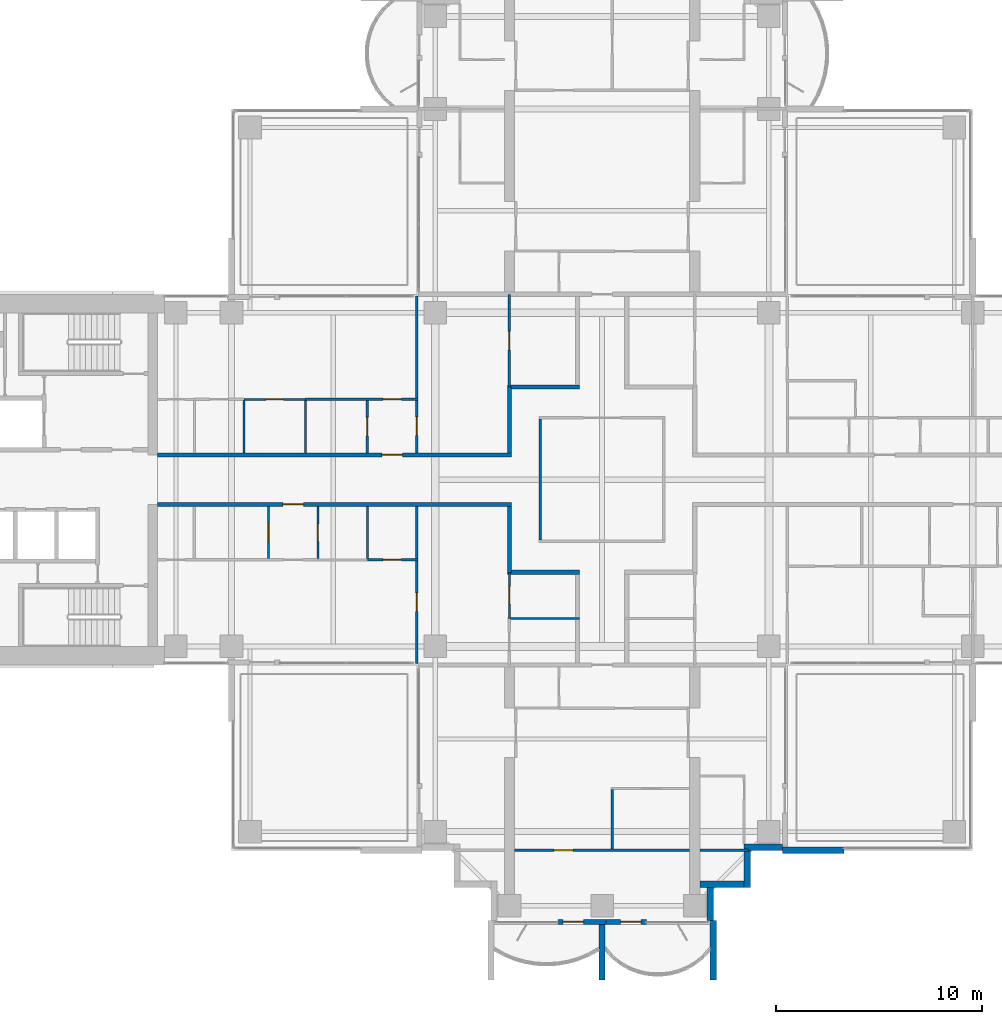
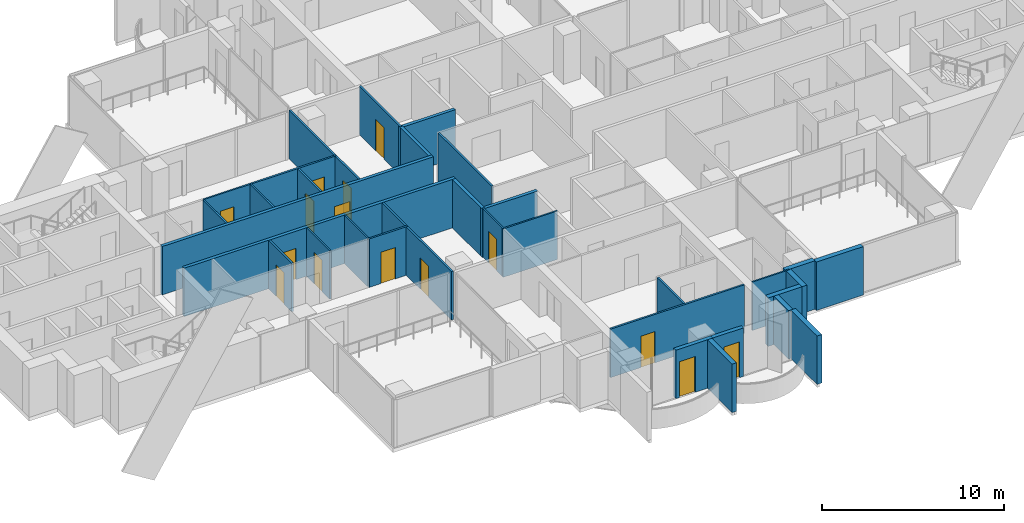
# One storey, part 10 of 19: 33 walls, 15 doors, 15 openings.
"""IFC4 building model written with IfcOpenShell, lengths in metres."""

from ifc_helpers import new_model, si_unit, direction, frame, frame_2d, origin, place, context, subcontext, project, spatial, rectangle, extrude, material, layer, layer_set, type_object, element, fill, save


model = new_model("IFC4")

# Units and contexts
model_context = context("Model", 3, precision=1e-05, world=origin(), true_north=direction((0.0, 1.0)))
body_context = subcontext(model_context, "Body", "Model", "MODEL_VIEW")
ifc_project = project(units=[si_unit("LENGTHUNIT", "METRE"), si_unit("AREAUNIT", "SQUARE_METRE"), si_unit("VOLUMEUNIT", "CUBIC_METRE"), si_unit("PLANEANGLEUNIT", "RADIAN"), si_unit("MASSUNIT", "GRAM", prefix="KILO")], contexts=[model_context])

# Site, building, storey
site_placement = place(None, origin())
site = spatial("IfcSite", under=ifc_project, at=site_placement, CompositionType="ELEMENT")
building_placement = place(site_placement, origin())
building = spatial("IfcBuilding", under=site, at=building_placement, Name="Perihelion Cross Residences", CompositionType="ELEMENT")
storey_placement = place(building_placement, frame((0.0, 0.0, 147.89990234375)))
storey = spatial("IfcBuildingStorey", under=building, at=storey_placement, Name="L36", CompositionType="ELEMENT", Elevation=147.89990234375)

# Wall, opening, door
ifc_material_1 = material(Name="Plasterboard partition")
ifc_layer_1 = layer(ifc_material_1, 0.199951171875)
ifc_layer_set_1 = layer_set([ifc_layer_1], Name="Apartment separation wall 200")
wall_type_1 = type_object("IfcWallType", Name="Apartment separation wall 200", PredefinedType="PARTITIONING", material=ifc_layer_set_1)
wall_1_placement = place(storey_placement, frame((-21.60009765625, 1.199951171875, 0.0), z_axis=(0.0, 0.0, 1.0), x_axis=(1.0, 0.0, 0.0)))
wall_1 = element("IfcWall", 1, at=wall_1_placement, inside=storey, type_object=wall_type_1, Name="Partition L36 W013", PredefinedType="PARTITIONING", context=body_context, shape_type="SweptSolid", body=[
    extrude(rectangle(XDim=17.2001953125, YDim=0.199951171875, at=frame_2d((8.60009765625, 0.0))), origin(), (0.0, 0.0, 1.0), 3.25),
])
opening_1_placement = place(wall_1_placement, frame((10.89990234375, 0.0, 0.0)))
opening_1 = element("IfcOpeningElement", 2, at=opening_1_placement, cuts=wall_1, Name="Opening L36.A52", PredefinedType="OPENING", context=body_context, shape_type="SweptSolid", body=[
    extrude(rectangle(XDim=1.0, YDim=2.10009765625, at=frame_2d((0.5, 1.050048828125))), frame((0.0, 0.10986328125, 0.0), z_axis=(0.0, -1.0, 0.0), x_axis=(1.0, 0.0, 0.0)), (0.0, 0.0, 1.0), 0.219970703125),
])
ifc_material_2 = material(Name="Timber door leaf", Category="wood")
door_type_1 = type_object("IfcDoorType", Name="Flat entrance door 1000 x 2100", OperationType="SINGLE_SWING_LEFT", PredefinedType="DOOR", material=ifc_material_2)
door_1_placement = place(opening_1_placement, origin())
door_1 = element("IfcDoor", 3, at=door_1_placement, inside=storey, type_object=door_type_1, Name="Door L36.A52", OperationType="SINGLE_SWING_RIGHT", OverallHeight=2.10009765625, OverallWidth=1.0, PredefinedType="DOOR", context=body_context, shape_type="SweptSolid", body=[
    extrude(rectangle(XDim=1.0, YDim=2.10009765625, at=frame_2d((0.5, 1.050048828125))), frame((0.0, 0.02490234375, 0.0), z_axis=(0.0, -1.0, 0.0), x_axis=(1.0, 0.0, 0.0)), (0.0, 0.0, 1.0), 0.050048828125),
])
fill(opening_1, door_1)

# Walls
wall_2_placement = place(storey_placement, frame((-4.5, 1.300048828125, 0.0), z_axis=(0.0, 0.0, 1.0), x_axis=(0.0, 1.0, 0.0)))
element("IfcWall", 4, at=wall_2_placement, inside=storey, type_object=wall_type_1, Name="Partition L36 W014", PredefinedType="PARTITIONING", context=body_context, shape_type="SweptSolid", body=[
    extrude(rectangle(XDim=3.199951171875, YDim=0.199951171875, at=frame_2d((1.60009765625, 0.0))), origin(), (0.0, 0.0, 1.0), 3.25),
])
wall_3_placement = place(storey_placement, frame((-4.60009765625, 4.5, 0.0), z_axis=(0.0, 0.0, 1.0), x_axis=(1.0, 0.0, 0.0)))
element("IfcWall", 5, at=wall_3_placement, inside=storey, type_object=wall_type_1, Name="Partition L36 W015", PredefinedType="PARTITIONING", context=body_context, shape_type="SweptSolid", body=[
    extrude(rectangle(XDim=3.5, YDim=0.199951171875, at=frame_2d((1.75, 0.0))), origin(), (0.0, 0.0, 1.0), 3.25),
])

# Wall, opening, door
wall_4_placement = place(storey_placement, frame((-4.39990234375, -1.199951171875, 0.0), z_axis=(0.0, 0.0, 1.0), x_axis=(-1.0, 0.0, 0.0)))
wall_4 = element("IfcWall", 6, at=wall_4_placement, inside=storey, type_object=wall_type_1, Name="Partition L36 W017", PredefinedType="PARTITIONING", context=body_context, shape_type="SweptSolid", body=[
    extrude(rectangle(XDim=17.2001953125, YDim=0.199951171875, at=frame_2d((8.60009765625, 0.0))), origin(), (0.0, 0.0, 1.0), 3.25),
])
opening_2_placement = place(wall_4_placement, frame((10.10009765625, 0.0, 0.0)))
opening_2 = element("IfcOpeningElement", 7, at=opening_2_placement, cuts=wall_4, Name="Opening L36.A53", PredefinedType="OPENING", context=body_context, shape_type="SweptSolid", body=[
    extrude(rectangle(XDim=1.0, YDim=2.10009765625, at=frame_2d((0.5, 1.050048828125))), frame((0.0, 0.10986328125, 0.0), z_axis=(0.0, -1.0, 0.0), x_axis=(1.0, 0.0, 0.0)), (0.0, 0.0, 1.0), 0.219970703125),
])
door_2_placement = place(opening_2_placement, origin())
door_2 = element("IfcDoor", 8, at=door_2_placement, inside=storey, type_object=door_type_1, Name="Door L36.A53", OperationType="SINGLE_SWING_RIGHT", OverallHeight=2.10009765625, OverallWidth=1.0, PredefinedType="DOOR", context=body_context, shape_type="SweptSolid", body=[
    extrude(rectangle(XDim=1.0, YDim=2.10009765625, at=frame_2d((0.5, 1.050048828125))), frame((0.0, 0.02490234375, 0.0), z_axis=(0.0, -1.0, 0.0), x_axis=(1.0, 0.0, 0.0)), (0.0, 0.0, 1.0), 0.050048828125),
])
fill(opening_2, door_2)

# Walls
wall_5_placement = place(storey_placement, frame((-4.5, -4.5, 0.0), z_axis=(0.0, 0.0, 1.0), x_axis=(0.0, 1.0, 0.0)))
element("IfcWall", 9, at=wall_5_placement, inside=storey, type_object=wall_type_1, Name="Partition L36 W018", PredefinedType="PARTITIONING", context=body_context, shape_type="SweptSolid", body=[
    extrude(rectangle(XDim=3.199951171875, YDim=0.199951171875, at=frame_2d((1.60009765625, 0.0))), origin(), (0.0, 0.0, 1.0), 3.25),
])
wall_6_placement = place(storey_placement, frame((-1.10009765625, -4.5, 0.0), z_axis=(0.0, 0.0, 1.0), x_axis=(-1.0, 0.0, 0.0)))
element("IfcWall", 10, at=wall_6_placement, inside=storey, type_object=wall_type_1, Name="Partition L36 W020", PredefinedType="PARTITIONING", context=body_context, shape_type="SweptSolid", body=[
    extrude(rectangle(XDim=3.5, YDim=0.199951171875, at=frame_2d((1.75, 0.0))), origin(), (0.0, 0.0, 1.0), 3.25),
])

# Wall, opening, door
ifc_material_3 = material(Name="Concrete C30/37, bronze-clad", Category="concrete")
ifc_layer_2 = layer(ifc_material_3, 0.25)
ifc_layer_set_2 = layer_set([ifc_layer_2], Name="Bronze-clad pier wall 250")
wall_type_2 = type_object("IfcWallType", Name="Bronze-clad pier wall 250", PredefinedType="SOLIDWALL", material=ifc_layer_set_2)
wall_7_placement = place(storey_placement, frame((-2.14990234375, -21.47509765625, 0.0), z_axis=(0.0, 0.0, 1.0), x_axis=(1.0, 0.0, 0.0)))
wall_7 = element("IfcWall", 11, at=wall_7_placement, inside=storey, type_object=wall_type_2, Name="Wall FW1 L36 south tip south bay 1 pier", PredefinedType="SOLIDWALL", context=body_context, shape_type="SweptSolid", body=[
    extrude(rectangle(XDim=2.349853515625, YDim=0.25, at=frame_2d((1.1748046875, 0.0))), origin(), (0.0, 0.0, 1.0), 3.25),
])
opening_3_placement = place(wall_7_placement, frame((0.25, 0.0, 0.0)))
opening_3 = element("IfcOpeningElement", 12, at=opening_3_placement, cuts=wall_7, Name="Opening L36.E11", PredefinedType="OPENING", context=body_context, shape_type="SweptSolid", body=[
    extrude(rectangle(XDim=1.0, YDim=2.39990234375, at=frame_2d((0.5, 1.199951171875))), frame((0.0, 0.135009765625, 0.0), z_axis=(0.0, -1.0, 0.0), x_axis=(1.0, 0.0, 0.0)), (0.0, 0.0, 1.0), 0.27001953125),
])
ifc_material_4 = material(Name="Bronze anodised aluminium, glazed", Category="aluminium")
door_type_2 = type_object("IfcDoorType", Name="Balcony door 1000 x 2400", OperationType="NOTDEFINED", PredefinedType="DOOR", material=ifc_material_4)
door_3_placement = place(opening_3_placement, origin())
door_3 = element("IfcDoor", 13, at=door_3_placement, inside=storey, type_object=door_type_2, Name="Door L36.E11 south tip south bay 1", OperationType="SINGLE_SWING_RIGHT", OverallHeight=2.39990234375, OverallWidth=1.0, PredefinedType="DOOR", context=body_context, shape_type="SweptSolid", body=[
    extrude(rectangle(XDim=1.0, YDim=2.39990234375, at=frame_2d((0.5, 1.199951171875))), frame((0.0, 0.02490234375, 0.0), z_axis=(0.0, -1.0, 0.0), x_axis=(1.0, 0.0, 0.0)), (0.0, 0.0, 1.0), 0.050048828125),
])
fill(opening_3, door_3)

wall_8_placement = place(storey_placement, frame((0.199951171875, -21.47509765625, 0.0), z_axis=(0.0, 0.0, 1.0), x_axis=(1.0, 0.0, 0.0)))
wall_8 = element("IfcWall", 14, at=wall_8_placement, inside=storey, type_object=wall_type_2, Name="Wall FW1 L36 south tip south bay 2 pier", PredefinedType="SOLIDWALL", context=body_context, shape_type="SweptSolid", body=[
    extrude(rectangle(XDim=1.949951171875, YDim=0.25, at=frame_2d((0.97509765625, 0.0))), origin(), (0.0, 0.0, 1.0), 3.25),
])
opening_4_placement = place(wall_8_placement, frame((0.699951171875, 0.0, 0.0)))
opening_4 = element("IfcOpeningElement", 15, at=opening_4_placement, cuts=wall_8, Name="Opening L36.E12", PredefinedType="OPENING", context=body_context, shape_type="SweptSolid", body=[
    extrude(rectangle(XDim=1.0, YDim=2.39990234375, at=frame_2d((0.5, 1.199951171875))), frame((0.0, 0.135009765625, 0.0), z_axis=(0.0, -1.0, 0.0), x_axis=(1.0, 0.0, 0.0)), (0.0, 0.0, 1.0), 0.27001953125),
])
door_4_placement = place(opening_4_placement, origin())
door_4 = element("IfcDoor", 16, at=door_4_placement, inside=storey, type_object=door_type_2, Name="Door L36.E12 south tip south bay 2", OperationType="SINGLE_SWING_LEFT", OverallHeight=2.39990234375, OverallWidth=1.0, PredefinedType="DOOR", context=body_context, shape_type="SweptSolid", body=[
    extrude(rectangle(XDim=1.0, YDim=2.39990234375, at=frame_2d((0.5, 1.199951171875))), frame((0.0, 0.02490234375, 0.0), z_axis=(0.0, -1.0, 0.0), x_axis=(1.0, 0.0, 0.0)), (0.0, 0.0, 1.0), 0.050048828125),
])
fill(opening_4, door_4)

# Walls
ifc_material_5 = material(Name="Concrete C30/37, bronze-clad", Category="concrete")
ifc_layer_3 = layer(ifc_material_5, 0.300048828125)
ifc_layer_set_3 = layer_set([ifc_layer_3], Name="Bronze-clad serration wall 300")
wall_type_3 = type_object("IfcWallType", Name="Bronze-clad serration wall 300", PredefinedType="SOLIDWALL", material=ifc_layer_set_3)
wall_9_placement = place(storey_placement, frame((5.25, -21.419921875, 0.0), z_axis=(0.0, 0.0, 1.0), x_axis=(0.0, 1.0, 0.0)))
element("IfcWall", 17, at=wall_9_placement, inside=storey, type_object=wall_type_3, Name="Wall SR1 L36 south corner south-east 1", PredefinedType="SOLIDWALL", context=body_context, shape_type="SweptSolid", body=[
    extrude(rectangle(XDim=1.619873046875, YDim=0.300048828125, at=frame_2d((0.81005859375, 0.0))), origin(), (0.0, 0.0, 1.0), 3.25),
])
wall_10_placement = place(storey_placement, frame((4.75, -19.64990234375, 0.0), z_axis=(0.0, 0.0, 1.0), x_axis=(1.0, 0.0, 0.0)))
element("IfcWall", 18, at=wall_10_placement, inside=storey, type_object=wall_type_3, Name="Wall SR1 L36 south corner south-east 2", PredefinedType="SOLIDWALL", context=body_context, shape_type="SweptSolid", body=[
    extrude(rectangle(XDim=2.14990234375, YDim=0.300048828125, at=frame_2d((1.074951171875, 0.0))), origin(), (0.0, 0.0, 1.0), 3.25),
])
wall_11_placement = place(storey_placement, frame((7.050048828125, -19.800048828125, 0.0), z_axis=(0.0, 0.0, 1.0), x_axis=(0.0, 1.0, 0.0)))
element("IfcWall", 19, at=wall_11_placement, inside=storey, type_object=wall_type_3, Name="Wall SR1 L36 south corner south-east 3", PredefinedType="SOLIDWALL", context=body_context, shape_type="SweptSolid", body=[
    extrude(rectangle(XDim=1.800048828125, YDim=0.300048828125, at=frame_2d((0.89990234375, 0.0))), origin(), (0.0, 0.0, 1.0), 3.25),
])
wall_12_placement = place(storey_placement, frame((6.89990234375, -17.85009765625, 0.0), z_axis=(0.0, 0.0, 1.0), x_axis=(1.0, 0.0, 0.0)))
element("IfcWall", 20, at=wall_12_placement, inside=storey, type_object=wall_type_3, Name="Wall SR1 L36 south corner south-east 4", PredefinedType="SOLIDWALL", context=body_context, shape_type="SweptSolid", body=[
    extrude(rectangle(XDim=1.85009765625, YDim=0.300048828125, at=frame_2d((0.925048828125, 0.0))), origin(), (0.0, 0.0, 1.0), 3.25),
])
ifc_material_6 = material(Name="Plasterboard partition")
ifc_layer_4 = layer(ifc_material_6, 0.1201171875)
ifc_layer_set_4 = layer_set([ifc_layer_4], Name="Partition wall 120")
wall_type_4 = type_object("IfcWallType", Name="Partition wall 120", PredefinedType="PARTITIONING", material=ifc_layer_set_4)
wall_13_placement = place(storey_placement, frame((-3.0, 2.93994140625, 0.0), z_axis=(0.0, 0.0, 1.0), x_axis=(0.0, -1.0, 0.0)))
element("IfcWall", 21, at=wall_13_placement, inside=storey, type_object=wall_type_4, Name="Partition L36 W004", PredefinedType="PARTITIONING", context=body_context, shape_type="SweptSolid", body=[
    extrude(rectangle(XDim=5.8798828125, YDim=0.1201171875, at=frame_2d((2.93994140625, 0.0))), origin(), (0.0, 0.0, 1.0), 3.25),
])

# Wall, opening, door
wall_14_placement = place(storey_placement, frame((-11.39990234375, 1.300048828125, 0.0), z_axis=(0.0, 0.0, 1.0), x_axis=(0.0, 1.0, 0.0)))
wall_14 = element("IfcWall", 22, at=wall_14_placement, inside=storey, type_object=wall_type_4, Name="Partition L36 W046", PredefinedType="PARTITIONING", context=body_context, shape_type="SweptSolid", body=[
    extrude(rectangle(XDim=2.5400390625, YDim=0.1201171875, at=frame_2d((1.27001953125, 0.0))), origin(), (0.0, 0.0, 1.0), 3.25),
])
opening_5_placement = place(wall_14_placement, frame((0.820068359375, 0.0, 0.0)))
opening_5 = element("IfcOpeningElement", 23, at=opening_5_placement, cuts=wall_14, Name="Opening L36.A21", PredefinedType="OPENING", context=body_context, shape_type="SweptSolid", body=[
    extrude(rectangle(XDim=0.89990234375, YDim=2.10009765625, at=frame_2d((0.449951171875, 1.050048828125))), frame((0.0, 0.070068359375, 0.0), z_axis=(0.0, -1.0, 0.0), x_axis=(1.0, 0.0, 0.0)), (0.0, 0.0, 1.0), 0.14013671875),
])
ifc_material_7 = material(Name="Timber door leaf", Category="wood")
door_type_3 = type_object("IfcDoorType", Name="Interior room door 900 x 2100", OperationType="SINGLE_SWING_LEFT", PredefinedType="DOOR", material=ifc_material_7)
door_5_placement = place(opening_5_placement, origin())
door_5 = element("IfcDoor", 24, at=door_5_placement, inside=storey, type_object=door_type_3, Name="Door L36.A21", OperationType="SINGLE_SWING_LEFT", OverallHeight=2.10009765625, OverallWidth=0.89990234375, PredefinedType="DOOR", context=body_context, shape_type="SweptSolid", body=[
    extrude(rectangle(XDim=0.89990234375, YDim=2.10009765625, at=frame_2d((0.449951171875, 1.050048828125))), frame((0.0, 0.02490234375, 0.0), z_axis=(0.0, -1.0, 0.0), x_axis=(1.0, 0.0, 0.0)), (0.0, 0.0, 1.0), 0.050048828125),
])
fill(opening_5, door_5)

wall_15_placement = place(storey_placement, frame((-14.39990234375, 3.89990234375, 0.0), z_axis=(0.0, 0.0, 1.0), x_axis=(1.0, 0.0, 0.0)))
wall_15 = element("IfcWall", 25, at=wall_15_placement, inside=storey, type_object=wall_type_4, Name="Partition L36 W047", PredefinedType="PARTITIONING", context=body_context, shape_type="SweptSolid", body=[
    extrude(rectangle(XDim=5.4599609375, YDim=0.1201171875, at=frame_2d((2.72998046875, 0.0))), origin(), (0.0, 0.0, 1.0), 3.25),
])
opening_6_placement = place(wall_15_placement, frame((3.75, 0.0, 0.0)))
opening_6 = element("IfcOpeningElement", 26, at=opening_6_placement, cuts=wall_15, Name="Opening L36.A23", PredefinedType="OPENING", context=body_context, shape_type="SweptSolid", body=[
    extrude(rectangle(XDim=0.89990234375, YDim=2.10009765625, at=frame_2d((0.449951171875, 1.050048828125))), frame((0.0, 0.070068359375, 0.0), z_axis=(0.0, -1.0, 0.0), x_axis=(1.0, 0.0, 0.0)), (0.0, 0.0, 1.0), 0.14013671875),
])
door_6_placement = place(opening_6_placement, origin())
door_6 = element("IfcDoor", 27, at=door_6_placement, inside=storey, type_object=door_type_3, Name="Door L36.A23", OperationType="SINGLE_SWING_RIGHT", OverallHeight=2.10009765625, OverallWidth=0.89990234375, PredefinedType="DOOR", context=body_context, shape_type="SweptSolid", body=[
    extrude(rectangle(XDim=0.89990234375, YDim=2.10009765625, at=frame_2d((0.449951171875, 1.050048828125))), frame((0.0, 0.02490234375, 0.0), z_axis=(0.0, -1.0, 0.0), x_axis=(1.0, 0.0, 0.0)), (0.0, 0.0, 1.0), 0.050048828125),
])
fill(opening_6, door_6)

wall_16_placement = place(storey_placement, frame((-9.0, 8.919921875, 0.0), z_axis=(0.0, 0.0, 1.0), x_axis=(0.0, -1.0, 0.0)))
wall_16 = element("IfcWall", 28, at=wall_16_placement, inside=storey, type_object=wall_type_4, Name="Partition L36 W048", PredefinedType="PARTITIONING", context=body_context, shape_type="SweptSolid", body=[
    extrude(rectangle(XDim=7.619873046875, YDim=0.1201171875, at=frame_2d((3.81005859375, 0.0))), origin(), (0.0, 0.0, 1.0), 3.25),
])
opening_7_placement = place(wall_16_placement, frame((5.8701171875, 0.0, 0.0)))
opening_7 = element("IfcOpeningElement", 29, at=opening_7_placement, cuts=wall_16, Name="Opening L36.A24", PredefinedType="OPENING", context=body_context, shape_type="SweptSolid", body=[
    extrude(rectangle(XDim=0.89990234375, YDim=2.10009765625, at=frame_2d((0.449951171875, 1.050048828125))), frame((0.0, 0.070068359375, 0.0), z_axis=(0.0, -1.0, 0.0), x_axis=(1.0, 0.0, 0.0)), (0.0, 0.0, 1.0), 0.14013671875),
])
door_7_placement = place(opening_7_placement, origin())
door_7 = element("IfcDoor", 30, at=door_7_placement, inside=storey, type_object=door_type_3, Name="Door L36.A24", OperationType="SINGLE_SWING_RIGHT", OverallHeight=2.10009765625, OverallWidth=0.89990234375, PredefinedType="DOOR", context=body_context, shape_type="SweptSolid", body=[
    extrude(rectangle(XDim=0.89990234375, YDim=2.10009765625, at=frame_2d((0.449951171875, 1.050048828125))), frame((0.0, 0.02490234375, 0.0), z_axis=(0.0, -1.0, 0.0), x_axis=(1.0, 0.0, 0.0)), (0.0, 0.0, 1.0), 0.050048828125),
])
fill(opening_7, door_7)

wall_17_placement = place(storey_placement, frame((-4.5, 9.0, 0.0), z_axis=(0.0, 0.0, 1.0), x_axis=(0.0, -1.0, 0.0)))
wall_17 = element("IfcWall", 31, at=wall_17_placement, inside=storey, type_object=wall_type_4, Name="Partition L36 W055", PredefinedType="PARTITIONING", context=body_context, shape_type="SweptSolid", body=[
    extrude(rectangle(XDim=4.5, YDim=0.1201171875, at=frame_2d((2.25, 0.0))), origin(), (0.0, 0.0, 1.0), 3.25),
])
opening_8_placement = place(wall_17_placement, frame((1.800048828125, 0.0, 0.0)))
opening_8 = element("IfcOpeningElement", 32, at=opening_8_placement, cuts=wall_17, Name="Opening L36.A20", PredefinedType="OPENING", context=body_context, shape_type="SweptSolid", body=[
    extrude(rectangle(XDim=0.89990234375, YDim=2.10009765625, at=frame_2d((0.449951171875, 1.050048828125))), frame((0.0, 0.070068359375, 0.0), z_axis=(0.0, -1.0, 0.0), x_axis=(1.0, 0.0, 0.0)), (0.0, 0.0, 1.0), 0.14013671875),
])
door_8_placement = place(opening_8_placement, origin())
door_8 = element("IfcDoor", 33, at=door_8_placement, inside=storey, type_object=door_type_3, Name="Door L36.A20", OperationType="SINGLE_SWING_LEFT", OverallHeight=2.10009765625, OverallWidth=0.89990234375, PredefinedType="DOOR", context=body_context, shape_type="SweptSolid", body=[
    extrude(rectangle(XDim=0.89990234375, YDim=2.10009765625, at=frame_2d((0.449951171875, 1.050048828125))), frame((0.0, 0.02490234375, 0.0), z_axis=(0.0, -1.0, 0.0), x_axis=(1.0, 0.0, 0.0)), (0.0, 0.0, 1.0), 0.050048828125),
])
fill(opening_8, door_8)

wall_18_placement = place(storey_placement, frame((-8.93994140625, -3.89990234375, 0.0), z_axis=(0.0, 0.0, 1.0), x_axis=(-1.0, 0.0, 0.0)))
wall_18 = element("IfcWall", 34, at=wall_18_placement, inside=storey, type_object=wall_type_4, Name="Partition L36 W057", PredefinedType="PARTITIONING", context=body_context, shape_type="SweptSolid", body=[
    extrude(rectangle(XDim=2.4599609375, YDim=0.1201171875, at=frame_2d((1.22998046875, 0.0))), origin(), (0.0, 0.0, 1.0), 3.25),
])
opening_9_placement = place(wall_18_placement, frame((0.81005859375, 0.0, 0.0)))
opening_9 = element("IfcOpeningElement", 35, at=opening_9_placement, cuts=wall_18, Name="Opening L36.A33", PredefinedType="OPENING", context=body_context, shape_type="SweptSolid", body=[
    extrude(rectangle(XDim=0.89990234375, YDim=2.10009765625, at=frame_2d((0.449951171875, 1.050048828125))), frame((0.0, 0.070068359375, 0.0), z_axis=(0.0, -1.0, 0.0), x_axis=(1.0, 0.0, 0.0)), (0.0, 0.0, 1.0), 0.14013671875),
])
door_9_placement = place(opening_9_placement, origin())
door_9 = element("IfcDoor", 36, at=door_9_placement, inside=storey, type_object=door_type_3, Name="Door L36.A33", OperationType="SINGLE_SWING_RIGHT", OverallHeight=2.10009765625, OverallWidth=0.89990234375, PredefinedType="DOOR", context=body_context, shape_type="SweptSolid", body=[
    extrude(rectangle(XDim=0.89990234375, YDim=2.10009765625, at=frame_2d((0.449951171875, 1.050048828125))), frame((0.0, 0.02490234375, 0.0), z_axis=(0.0, -1.0, 0.0), x_axis=(1.0, 0.0, 0.0)), (0.0, 0.0, 1.0), 0.050048828125),
])
fill(opening_9, door_9)

wall_19_placement = place(storey_placement, frame((-9.0, -1.300048828125, 0.0), z_axis=(0.0, 0.0, 1.0), x_axis=(0.0, -1.0, 0.0)))
wall_19 = element("IfcWall", 37, at=wall_19_placement, inside=storey, type_object=wall_type_4, Name="Partition L36 W058", PredefinedType="PARTITIONING", context=body_context, shape_type="SweptSolid", body=[
    extrude(rectangle(XDim=7.619873046875, YDim=0.1201171875, at=frame_2d((3.81005859375, 0.0))), origin(), (0.0, 0.0, 1.0), 3.25),
])
opening_10_placement = place(wall_19_placement, frame((4.199951171875, 0.0, 0.0)))
opening_10 = element("IfcOpeningElement", 38, at=opening_10_placement, cuts=wall_19, Name="Opening L36.A28", PredefinedType="OPENING", context=body_context, shape_type="SweptSolid", body=[
    extrude(rectangle(XDim=0.89990234375, YDim=2.10009765625, at=frame_2d((0.449951171875, 1.050048828125))), frame((0.0, 0.070068359375, 0.0), z_axis=(0.0, -1.0, 0.0), x_axis=(1.0, 0.0, 0.0)), (0.0, 0.0, 1.0), 0.14013671875),
])
door_10_placement = place(opening_10_placement, origin())
door_10 = element("IfcDoor", 39, at=door_10_placement, inside=storey, type_object=door_type_3, Name="Door L36.A28", OperationType="SINGLE_SWING_RIGHT", OverallHeight=2.10009765625, OverallWidth=0.89990234375, PredefinedType="DOOR", context=body_context, shape_type="SweptSolid", body=[
    extrude(rectangle(XDim=0.89990234375, YDim=2.10009765625, at=frame_2d((0.449951171875, 1.050048828125))), frame((0.0, 0.02490234375, 0.0), z_axis=(0.0, -1.0, 0.0), x_axis=(1.0, 0.0, 0.0)), (0.0, 0.0, 1.0), 0.050048828125),
])
fill(opening_10, door_10)

wall_20_placement = place(storey_placement, frame((-16.199951171875, -3.840087890625, 0.0), z_axis=(0.0, 0.0, 1.0), x_axis=(0.0, 1.0, 0.0)))
wall_20 = element("IfcWall", 40, at=wall_20_placement, inside=storey, type_object=wall_type_4, Name="Partition L36 W061", PredefinedType="PARTITIONING", context=body_context, shape_type="SweptSolid", body=[
    extrude(rectangle(XDim=2.5400390625, YDim=0.1201171875, at=frame_2d((1.27001953125, 0.0))), origin(), (0.0, 0.0, 1.0), 3.25),
])
opening_11_placement = place(wall_20_placement, frame((0.820068359375, 0.0, 0.0)))
opening_11 = element("IfcOpeningElement", 41, at=opening_11_placement, cuts=wall_20, Name="Opening L36.A29", PredefinedType="OPENING", context=body_context, shape_type="SweptSolid", body=[
    extrude(rectangle(XDim=0.89990234375, YDim=2.10009765625, at=frame_2d((0.449951171875, 1.050048828125))), frame((0.0, 0.070068359375, 0.0), z_axis=(0.0, -1.0, 0.0), x_axis=(1.0, 0.0, 0.0)), (0.0, 0.0, 1.0), 0.14013671875),
])
door_11_placement = place(opening_11_placement, origin())
door_11 = element("IfcDoor", 42, at=door_11_placement, inside=storey, type_object=door_type_3, Name="Door L36.A29", OperationType="SINGLE_SWING_LEFT", OverallHeight=2.10009765625, OverallWidth=0.89990234375, PredefinedType="DOOR", context=body_context, shape_type="SweptSolid", body=[
    extrude(rectangle(XDim=0.89990234375, YDim=2.10009765625, at=frame_2d((0.449951171875, 1.050048828125))), frame((0.0, 0.02490234375, 0.0), z_axis=(0.0, -1.0, 0.0), x_axis=(1.0, 0.0, 0.0)), (0.0, 0.0, 1.0), 0.050048828125),
])
fill(opening_11, door_11)

# Wall
wall_21_placement = place(storey_placement, frame((0.5, -15.06005859375, 0.0), z_axis=(0.0, 0.0, 1.0), x_axis=(0.0, -1.0, 0.0)))
element("IfcWall", 43, at=wall_21_placement, inside=storey, type_object=wall_type_4, Name="Partition L36 W091", PredefinedType="PARTITIONING", context=body_context, shape_type="SweptSolid", body=[
    extrude(rectangle(XDim=2.8798828125, YDim=0.1201171875, at=frame_2d((1.43994140625, 0.0))), origin(), (0.0, 0.0, 1.0), 3.25),
])

# Wall, opening, door
wall_22_placement = place(storey_placement, frame((4.25, -18.0, 0.0), z_axis=(0.0, 0.0, 1.0), x_axis=(-1.0, 0.0, 0.0)))
wall_22 = element("IfcWall", 44, at=wall_22_placement, inside=storey, type_object=wall_type_4, Name="Partition L36 W092", PredefinedType="PARTITIONING", context=body_context, shape_type="SweptSolid", body=[
    extrude(rectangle(XDim=8.5, YDim=0.1201171875, at=frame_2d((4.25, 0.0))), origin(), (0.0, 0.0, 1.0), 3.25),
])
opening_12_placement = place(wall_22_placement, frame((5.675048828125, 0.0, 0.0)))
opening_12 = element("IfcOpeningElement", 45, at=opening_12_placement, cuts=wall_22, Name="Opening L36.A48", PredefinedType="OPENING", context=body_context, shape_type="SweptSolid", body=[
    extrude(rectangle(XDim=0.89990234375, YDim=2.10009765625, at=frame_2d((0.449951171875, 1.050048828125))), frame((0.0, 0.070068359375, 0.0), z_axis=(0.0, -1.0, 0.0), x_axis=(1.0, 0.0, 0.0)), (0.0, 0.0, 1.0), 0.14013671875),
])
door_12_placement = place(opening_12_placement, origin())
door_12 = element("IfcDoor", 46, at=door_12_placement, inside=storey, type_object=door_type_3, Name="Door L36.A48", OperationType="SINGLE_SWING_LEFT", OverallHeight=2.10009765625, OverallWidth=0.89990234375, PredefinedType="DOOR", context=body_context, shape_type="SweptSolid", body=[
    extrude(rectangle(XDim=0.89990234375, YDim=2.10009765625, at=frame_2d((0.449951171875, 1.050048828125))), frame((0.0, 0.02490234375, 0.0), z_axis=(0.0, -1.0, 0.0), x_axis=(1.0, 0.0, 0.0)), (0.0, 0.0, 1.0), 0.050048828125),
])
fill(opening_12, door_12)

# Walls
ifc_material_8 = material(Name="Precast concrete C50/60", Category="concrete")
ifc_layer_5 = layer(ifc_material_8, 0.300048828125)
ifc_layer_set_5 = layer_set([ifc_layer_5], Name="Precast concrete C50/60 blade wall 300")
wall_type_5 = type_object("IfcWallType", Name="Precast concrete C50/60 blade wall 300", PredefinedType="SOLIDWALL", material=ifc_layer_set_5)
wall_23_placement = place(storey_placement, frame((0.0, -21.60009765625, 0.0), z_axis=(0.0, 0.0, 1.0), x_axis=(0.0, -1.0, 0.0)))
element("IfcWall", 47, at=wall_23_placement, inside=storey, type_object=wall_type_5, Name="Wall BL1 L36 no. 8", PredefinedType="SOLIDWALL", context=body_context, shape_type="SweptSolid", body=[
    extrude(rectangle(XDim=2.699951171875, YDim=0.300048828125, at=frame_2d((1.35009765625, 0.0))), origin(), (0.0, 0.0, 1.0), 3.25),
])
wall_24_placement = place(storey_placement, frame((5.39990234375, -21.419921875, 0.0), z_axis=(0.0, 0.0, 1.0), x_axis=(0.0, -1.0, 0.0)))
element("IfcWall", 48, at=wall_24_placement, inside=storey, type_object=wall_type_5, Name="Wall BL1 L36 no. 12", PredefinedType="SOLIDWALL", context=body_context, shape_type="SweptSolid", body=[
    extrude(rectangle(XDim=2.880126953125, YDim=0.300048828125, at=frame_2d((1.43994140625, 0.0))), origin(), (0.0, 0.0, 1.0), 3.25),
])
wall_25_placement = place(storey_placement, frame((8.75, -18.0, 0.0), z_axis=(0.0, 0.0, 1.0), x_axis=(1.0, 0.0, 0.0)))
element("IfcWall", 49, at=wall_25_placement, inside=storey, type_object=wall_type_5, Name="Wall BL1 L36 no. 14", PredefinedType="SOLIDWALL", context=body_context, shape_type="SweptSolid", body=[
    extrude(rectangle(XDim=2.989990234375, YDim=0.300048828125, at=frame_2d((1.4951171875, 0.0))), origin(), (0.0, 0.0, 1.0), 3.25),
])
ifc_material_9 = material(Name="Plasterboard partition")
ifc_layer_6 = layer(ifc_material_9, 0.10009765625)
ifc_layer_set_6 = layer_set([ifc_layer_6], Name="Wet room wall 100")
wall_type_6 = type_object("IfcWallType", Name="Wet room wall 100", PredefinedType="PARTITIONING", material=ifc_layer_set_6)
for number, where, z_axis, x_axis, name in (
    (50, (-14.39990234375, 1.300048828125, 0.0), (0.0, 0.0, 1.0), (0.0, 1.0, 0.0), "Partition L36 W049"),
    (51, (-17.39990234375, 1.300048828125, 0.0), (0.0, 0.0, 1.0), (0.0, 1.0, 0.0), "Partition L36 W050"),
):
    element("IfcWall", number, at=place(storey_placement, frame(where, z_axis=z_axis, x_axis=x_axis)), inside=storey, type_object=wall_type_6, Name=name, PredefinedType="PARTITIONING", context=body_context, shape_type="SweptSolid", body=[
        extrude(rectangle(XDim=2.5400390625, YDim=0.10009765625, at=frame_2d((1.27001953125, 0.0))), origin(), (0.0, 0.0, 1.0), 3.25),
    ])

# Wall, opening, door
wall_26_placement = place(storey_placement, frame((-17.39990234375, 3.89990234375, 0.0), z_axis=(0.0, 0.0, 1.0), x_axis=(1.0, 0.0, 0.0)))
wall_26 = element("IfcWall", 52, at=wall_26_placement, inside=storey, type_object=wall_type_6, Name="Partition L36 W051", PredefinedType="PARTITIONING", context=body_context, shape_type="SweptSolid", body=[
    extrude(rectangle(XDim=3.0, YDim=0.10009765625, at=frame_2d((1.5, 0.0))), origin(), (0.0, 0.0, 1.0), 3.25),
])
opening_13_placement = place(wall_26_placement, frame((1.074951171875, 0.0, 0.0)))
opening_13 = element("IfcOpeningElement", 53, at=opening_13_placement, cuts=wall_26, Name="Opening L36.A19", PredefinedType="OPENING", context=body_context, shape_type="SweptSolid", body=[
    extrude(rectangle(XDim=0.85009765625, YDim=2.10009765625, at=frame_2d((0.425048828125, 1.050048828125))), frame((0.0, 0.06005859375, 0.0), z_axis=(0.0, -1.0, 0.0), x_axis=(1.0, 0.0, 0.0)), (0.0, 0.0, 1.0), 0.1201171875),
])
ifc_material_10 = material(Name="Timber door leaf", Category="wood")
door_type_4 = type_object("IfcDoorType", Name="Interior bathroom door 850 x 2100", OperationType="SINGLE_SWING_LEFT", PredefinedType="DOOR", material=ifc_material_10)
door_13_placement = place(opening_13_placement, origin())
door_13 = element("IfcDoor", 54, at=door_13_placement, inside=storey, type_object=door_type_4, Name="Door L36.A19", OperationType="SINGLE_SWING_LEFT", OverallHeight=2.10009765625, OverallWidth=0.85009765625, PredefinedType="DOOR", context=body_context, shape_type="SweptSolid", body=[
    extrude(rectangle(XDim=0.85009765625, YDim=2.10009765625, at=frame_2d((0.425048828125, 1.050048828125))), frame((0.0, 0.02490234375, 0.0), z_axis=(0.0, -1.0, 0.0), x_axis=(1.0, 0.0, 0.0)), (0.0, 0.0, 1.0), 0.050048828125),
])
fill(opening_13, door_13)

# Wall
wall_27_placement = place(storey_placement, frame((-11.39990234375, -3.840087890625, 0.0), z_axis=(0.0, 0.0, 1.0), x_axis=(0.0, 1.0, 0.0)))
element("IfcWall", 55, at=wall_27_placement, inside=storey, type_object=wall_type_6, Name="Partition L36 W056", PredefinedType="PARTITIONING", context=body_context, shape_type="SweptSolid", body=[
    extrude(rectangle(XDim=2.5400390625, YDim=0.10009765625, at=frame_2d((1.27001953125, 0.0))), origin(), (0.0, 0.0, 1.0), 3.25),
])

# Wall, opening, door
wall_28_placement = place(storey_placement, frame((-13.800048828125, -3.840087890625, 0.0), z_axis=(0.0, 0.0, 1.0), x_axis=(0.0, 1.0, 0.0)))
wall_28 = element("IfcWall", 56, at=wall_28_placement, inside=storey, type_object=wall_type_6, Name="Partition L36 W059", PredefinedType="PARTITIONING", context=body_context, shape_type="SweptSolid", body=[
    extrude(rectangle(XDim=2.5400390625, YDim=0.10009765625, at=frame_2d((1.27001953125, 0.0))), origin(), (0.0, 0.0, 1.0), 3.25),
])
opening_14_placement = place(wall_28_placement, frame((0.844970703125, 0.0, 0.0)))
opening_14 = element("IfcOpeningElement", 57, at=opening_14_placement, cuts=wall_28, Name="Opening L36.A26", PredefinedType="OPENING", context=body_context, shape_type="SweptSolid", body=[
    extrude(rectangle(XDim=0.85009765625, YDim=2.10009765625, at=frame_2d((0.425048828125, 1.050048828125))), frame((0.0, 0.06005859375, 0.0), z_axis=(0.0, -1.0, 0.0), x_axis=(1.0, 0.0, 0.0)), (0.0, 0.0, 1.0), 0.1201171875),
])
door_14_placement = place(opening_14_placement, origin())
door_14 = element("IfcDoor", 58, at=door_14_placement, inside=storey, type_object=door_type_4, Name="Door L36.A26", OperationType="SINGLE_SWING_LEFT", OverallHeight=2.10009765625, OverallWidth=0.85009765625, PredefinedType="DOOR", context=body_context, shape_type="SweptSolid", body=[
    extrude(rectangle(XDim=0.85009765625, YDim=2.10009765625, at=frame_2d((0.425048828125, 1.050048828125))), frame((0.0, 0.02490234375, 0.0), z_axis=(0.0, -1.0, 0.0), x_axis=(1.0, 0.0, 0.0)), (0.0, 0.0, 1.0), 0.050048828125),
])
fill(opening_14, door_14)

wall_29_placement = place(storey_placement, frame((-4.5, -4.5, 0.0), z_axis=(0.0, 0.0, 1.0), x_axis=(0.0, -1.0, 0.0)))
wall_29 = element("IfcWall", 59, at=wall_29_placement, inside=storey, type_object=wall_type_6, Name="Partition L36 W064", PredefinedType="PARTITIONING", context=body_context, shape_type="SweptSolid", body=[
    extrude(rectangle(XDim=2.25, YDim=0.10009765625, at=frame_2d((1.125, 0.0))), origin(), (0.0, 0.0, 1.0), 3.25),
])
opening_15_placement = place(wall_29_placement, frame((0.699951171875, 0.0, 0.0)))
opening_15 = element("IfcOpeningElement", 60, at=opening_15_placement, cuts=wall_29, Name="Opening L36.A27", PredefinedType="OPENING", context=body_context, shape_type="SweptSolid", body=[
    extrude(rectangle(XDim=0.85009765625, YDim=2.10009765625, at=frame_2d((0.425048828125, 1.050048828125))), frame((0.0, 0.06005859375, 0.0), z_axis=(0.0, -1.0, 0.0), x_axis=(1.0, 0.0, 0.0)), (0.0, 0.0, 1.0), 0.1201171875),
])
door_15_placement = place(opening_15_placement, origin())
door_15 = element("IfcDoor", 61, at=door_15_placement, inside=storey, type_object=door_type_4, Name="Door L36.A27", OperationType="SINGLE_SWING_LEFT", OverallHeight=2.10009765625, OverallWidth=0.85009765625, PredefinedType="DOOR", context=body_context, shape_type="SweptSolid", body=[
    extrude(rectangle(XDim=0.85009765625, YDim=2.10009765625, at=frame_2d((0.425048828125, 1.050048828125))), frame((0.0, 0.02490234375, 0.0), z_axis=(0.0, -1.0, 0.0), x_axis=(1.0, 0.0, 0.0)), (0.0, 0.0, 1.0), 0.050048828125),
])
fill(opening_15, door_15)

# Walls
wall_30_placement = place(storey_placement, frame((-1.10009765625, -6.75, 0.0), z_axis=(0.0, 0.0, 1.0), x_axis=(-1.0, 0.0, 0.0)))
element("IfcWall", 62, at=wall_30_placement, inside=storey, type_object=wall_type_6, Name="Partition L36 W066", PredefinedType="PARTITIONING", context=body_context, shape_type="SweptSolid", body=[
    extrude(rectangle(XDim=3.4599609375, YDim=0.10009765625, at=frame_2d((1.72998046875, 0.0))), origin(), (0.0, 0.0, 1.0), 3.25),
])
wall_31_placement = place(storey_placement, frame((7.1201171875, -18.0, 0.0), z_axis=(0.0, 0.0, 1.0), x_axis=(-1.0, 0.0, 0.0)))
element("IfcWall", 63, at=wall_31_placement, inside=storey, type_object=wall_type_6, Name="Partition L36 W095", PredefinedType="PARTITIONING", context=body_context, shape_type="SweptSolid", body=[
    extrude(rectangle(XDim=2.3701171875, YDim=0.10009765625, at=frame_2d((1.18505859375, 0.0))), origin(), (0.0, 0.0, 1.0), 3.25),
])

save(model, "model.ifc")
